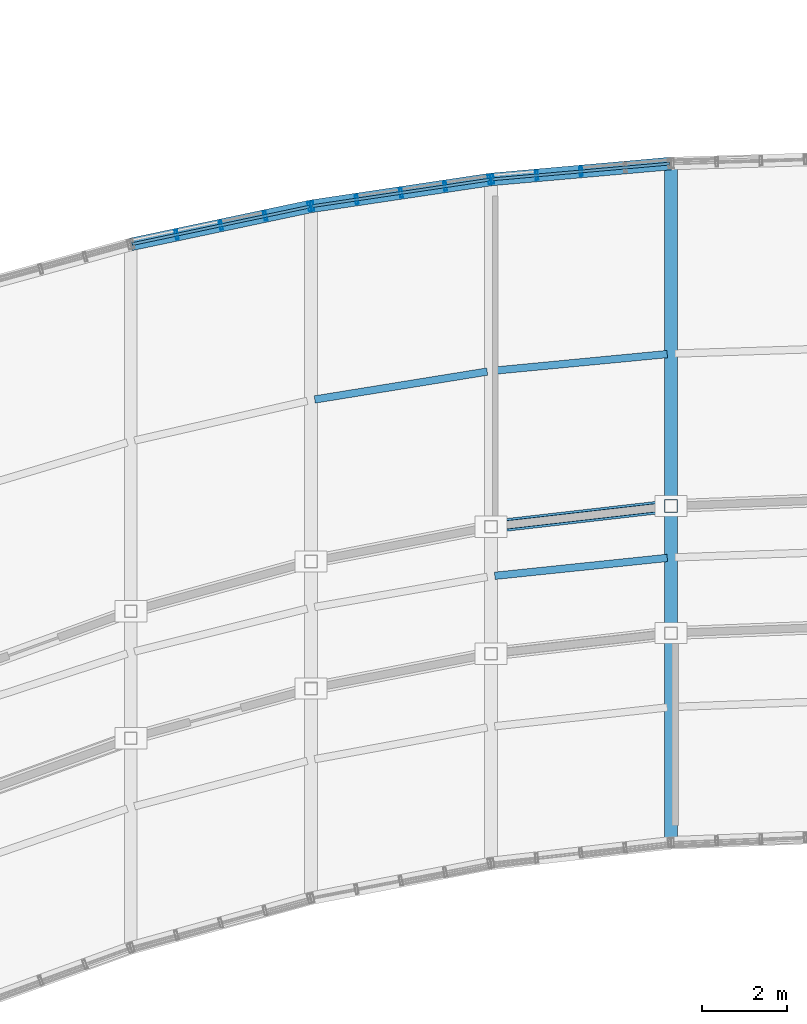
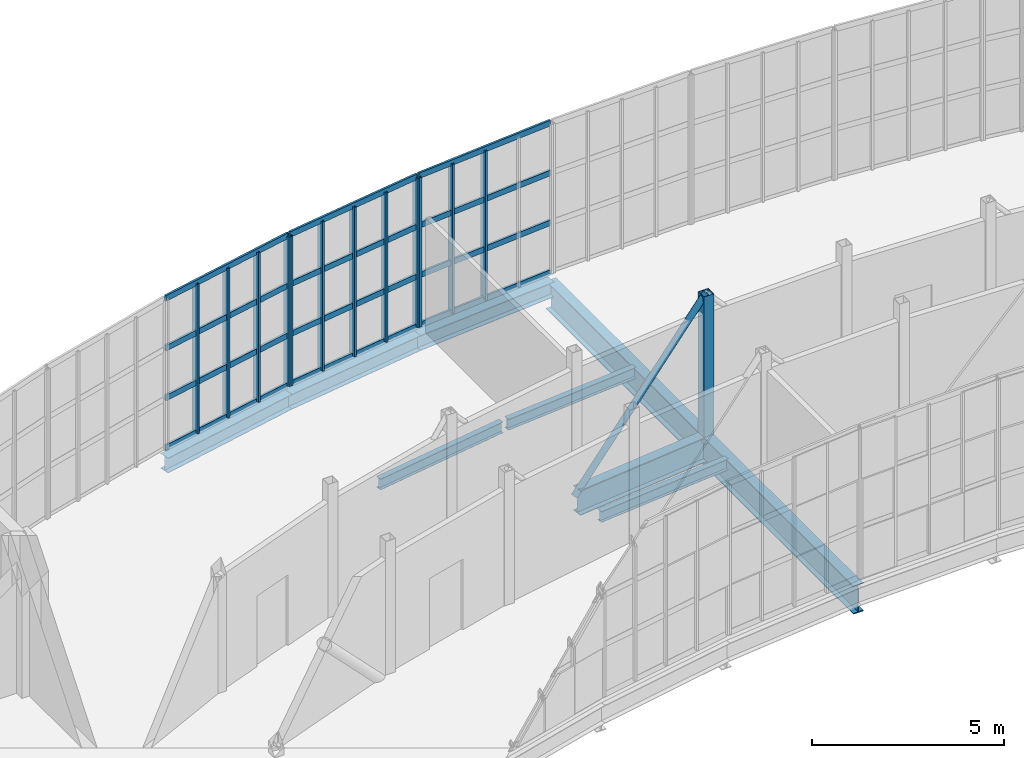
# One storey, part 25 of 66: 26 members, 8 beams, 3 elements without a shape of their own.
"""IFC4 building model written with IfcOpenShell, lengths in metres."""

from ifc_helpers import new_model, si_unit, direction, frame, origin, origin_2d, place, context, subcontext, project, spatial, hollow_rectangle, hollow_circle, i_section, extrude, material, material_profile, profile_set, type_object, element, aggregate, save


model = new_model("IFC4")

# Units and contexts
model_context = context("Model", 3, precision=1e-05, world=origin(), true_north=direction((0.0, 1.0)))
body_context = subcontext(model_context, "Body", "Model", "MODEL_VIEW")
ifc_project = project(units=[si_unit("LENGTHUNIT", "METRE"), si_unit("AREAUNIT", "SQUARE_METRE"), si_unit("VOLUMEUNIT", "CUBIC_METRE"), si_unit("PLANEANGLEUNIT", "RADIAN"), si_unit("MASSUNIT", "GRAM", prefix="KILO")], contexts=[model_context])

# Site, building, storey
site_placement = place(None, origin())
site = spatial("IfcSite", under=ifc_project, at=site_placement, CompositionType="ELEMENT")
building_placement = place(site_placement, origin())
building = spatial("IfcBuilding", under=site, at=building_placement, Name="Solvikara Media Centre", CompositionType="ELEMENT")
storey_placement = place(building_placement, frame((0.0, 0.0, 19.800048828125)))
storey = spatial("IfcBuildingStorey", under=building, at=storey_placement, Name="L04", CompositionType="ELEMENT", Elevation=19.800048828125)

# Beams
ifc_material_1 = material(Name="Steel S355JR", Category="steel")
ifc_material_profile_1 = material_profile(ifc_material_1, i_section(OverallWidth=0.300048828125, OverallDepth=0.89990234375, WebThickness=0.01611328125, FlangeThickness=0.028076171875, at=origin_2d()), Name="WF 900x300x16x28")
ifc_profile_set_1 = profile_set([ifc_material_profile_1], Name="Steel S355JR")
beam_type_1 = type_object("IfcBeamType", Name="BM-15", PredefinedType="BEAM", material=ifc_profile_set_1)
beam_1_placement = place(storey_placement, frame((97.75, 25.304931640625, -0.672119140625), z_axis=(0.0, 1.0, 0.0), x_axis=(-1.0, 0.0, 0.0)))
element("IfcBeam", 1, at=beam_1_placement, inside=storey, type_object=beam_type_1, Name="BG-L04-NS-05", PredefinedType="BEAM", context=body_context, shape_type="SweptSolid", body=[
    extrude(i_section(OverallWidth=0.300048828125, OverallDepth=0.89990234375, WebThickness=0.01611328125, FlangeThickness=0.028076171875, at=origin_2d()), origin(), (0.0, 0.0, 1.0), 16.0361328125),
])
ifc_material_profile_2 = material_profile(ifc_material_1, i_section(OverallWidth=0.300048828125, OverallDepth=0.800048828125, WebThickness=0.013916015625, FlangeThickness=0.02587890625, at=origin_2d()), Name="WF 800x300x14x26")
ifc_profile_set_2 = profile_set([ifc_material_profile_2], Name="Steel S355JR")
beam_type_2 = type_object("IfcBeamType", Name="BM-16", PredefinedType="BEAM", material=ifc_profile_set_2)
beam_2_placement = place(storey_placement, frame((93.589111328125, 32.778076171875, -0.6220703125), z_axis=(0.993485932274, 0.113954826025, 0.0), x_axis=(-0.113954826025, 0.993485932274, 0.0)))
element("IfcBeam", 2, at=beam_2_placement, inside=storey, type_object=beam_type_2, Name="B-L04-SPNN-04", PredefinedType="BEAM", context=body_context, shape_type="SweptSolid", body=[
    extrude(i_section(OverallWidth=0.300048828125, OverallDepth=0.800048828125, WebThickness=0.013916015625, FlangeThickness=0.02587890625, at=origin_2d()), origin(), (0.0, 0.0, 1.0), 4.098388671875),
])
ifc_material_profile_3 = material_profile(ifc_material_1, i_section(OverallWidth=0.175048828125, OverallDepth=0.35009765625, WebThickness=0.007080078125, FlangeThickness=0.010986328125, at=origin_2d()), Name="WF 350x175x7x11")
ifc_profile_set_3 = profile_set([ifc_material_profile_3], Name="Steel S355JR")
beam_type_3 = type_object("IfcBeamType", Name="BM-22", PredefinedType="JOIST", material=ifc_profile_set_3)
beam_3_placement = place(storey_placement, frame((89.339111328125, 35.77001953125, -0.39697265625), z_axis=(0.987157242896, 0.159751612818, 0.0), x_axis=(-0.159751612818, 0.987157242896, 0.0)))
element("IfcBeam", 3, at=beam_3_placement, inside=storey, type_object=beam_type_3, Name="BJ-L04-03-72", PredefinedType="JOIST", context=body_context, shape_type="SweptSolid", body=[
    extrude(i_section(OverallWidth=0.175048828125, OverallDepth=0.35009765625, WebThickness=0.007080078125, FlangeThickness=0.010986328125, at=origin_2d()), origin(), (0.0, 0.0, 1.0), 4.124755859375),
])
beam_4_placement = place(storey_placement, frame((93.590087890625, 31.60791015625, -0.39697265625), z_axis=(0.99463965164, 0.103401950587, 0.0), x_axis=(-0.103401950587, 0.99463965164, 0.0)))
element("IfcBeam", 4, at=beam_4_placement, inside=storey, type_object=beam_type_3, Name="BJ-L04-04-42", PredefinedType="JOIST", context=body_context, shape_type="SweptSolid", body=[
    extrude(i_section(OverallWidth=0.175048828125, OverallDepth=0.35009765625, WebThickness=0.007080078125, FlangeThickness=0.010986328125, at=origin_2d()), origin(), (0.0, 0.0, 1.0), 4.091796875),
])
beam_5_placement = place(storey_placement, frame((93.590087890625, 36.451904296875, -0.39697265625), z_axis=(0.995436776487, 0.095423393451, 0.0), x_axis=(-0.095423393451, 0.995436776487, 0.0)))
element("IfcBeam", 5, at=beam_5_placement, inside=storey, type_object=beam_type_3, Name="BJ-L04-04-72", PredefinedType="JOIST", context=body_context, shape_type="SweptSolid", body=[
    extrude(i_section(OverallWidth=0.175048828125, OverallDepth=0.35009765625, WebThickness=0.007080078125, FlangeThickness=0.010986328125, at=origin_2d()), origin(), (0.0, 0.0, 1.0), 4.08837890625),
])
ifc_material_profile_4 = material_profile(ifc_material_1, i_section(OverallWidth=0.300048828125, OverallDepth=0.48193359375, WebThickness=0.010986328125, FlangeThickness=0.014892578125, at=origin_2d()), Name="WF 482x300x11x15")
ifc_profile_set_4 = profile_set([ifc_material_profile_4], Name="Steel S355JR")
beam_type_4 = type_object("IfcBeamType", Name="BM-32", PredefinedType="SPANDREL", material=ifc_profile_set_4)
beam_6_placement = place(storey_placement, frame((85.0, 39.430908203125, -0.463134765625), z_axis=(0.978389077526, 0.206772369957, 0.0), x_axis=(-0.206772369957, 0.978389077526, 0.0)))
element("IfcBeam", 6, at=beam_6_placement, inside=storey, type_object=beam_type_4, Name="B-L04-NARC-02", PredefinedType="SPANDREL", context=body_context, shape_type="SweptSolid", body=[
    extrude(i_section(OverallWidth=0.300048828125, OverallDepth=0.48193359375, WebThickness=0.010986328125, FlangeThickness=0.014892578125, at=origin_2d()), origin(), (0.0, 0.0, 1.0), 4.343994140625),
])
beam_7_placement = place(storey_placement, frame((89.25, 40.3291015625, -0.463134765625), z_axis=(0.989021203369, 0.147773675894, 0.0), x_axis=(-0.147773675894, 0.989021203369, 0.0)))
element("IfcBeam", 7, at=beam_7_placement, inside=storey, type_object=beam_type_4, Name="B-L04-NARC-03", PredefinedType="SPANDREL", context=body_context, shape_type="SweptSolid", body=[
    extrude(i_section(OverallWidth=0.300048828125, OverallDepth=0.48193359375, WebThickness=0.010986328125, FlangeThickness=0.014892578125, at=origin_2d()), origin(), (0.0, 0.0, 1.0), 4.297119140625),
])
beam_8_placement = place(storey_placement, frame((93.5, 40.964111328125, -0.463134765625), z_axis=(0.996089667749, 0.088348026597, 0.0), x_axis=(-0.088348026597, 0.996089667749, 0.0)))
element("IfcBeam", 8, at=beam_8_placement, inside=storey, type_object=beam_type_4, Name="B-L04-NARC-04", PredefinedType="SPANDREL", context=body_context, shape_type="SweptSolid", body=[
    extrude(i_section(OverallWidth=0.300048828125, OverallDepth=0.48193359375, WebThickness=0.010986328125, FlangeThickness=0.014892578125, at=origin_2d()), origin(), (0.0, 0.0, 1.0), 4.2666015625),
])

# Members
ifc_material_profile_5 = material_profile(ifc_material_1, hollow_circle(Radius=0.096923828125, WallThickness=0.008056640625, at=origin_2d()), Name="CHS 193.7x8")
ifc_profile_set_5 = profile_set([ifc_material_profile_5], Name="Steel S355JR")
member_type_1 = type_object("IfcMemberType", Name="MB-06", PredefinedType="BRACE", material=ifc_profile_set_5)
member_1_placement = place(storey_placement, frame((93.5, 32.76806640625, -0.449951171875), z_axis=(0.668739862993, 0.076600832193, 0.739539930059), x_axis=(-0.113800903571, 0.993503575407, 0.0)))
element("IfcMember", 9, at=member_1_placement, inside=storey, type_object=member_type_1, Name="WTR-L04-N-DA04", PredefinedType="BRACE", context=body_context, shape_type="SweptSolid", body=[
    extrude(hollow_circle(Radius=0.096923828125, WallThickness=0.008056640625, at=origin_2d()), origin(), (0.0, 0.0, 1.0), 6.355224609375),
])
ifc_material_profile_6 = material_profile(ifc_material_1, hollow_rectangle(XDim=0.300048828125, YDim=0.300048828125, WallThickness=0.012451171875, at=origin_2d()), Name="RHS 300x300x12.5")
ifc_profile_set_6 = profile_set([ifc_material_profile_6], Name="Steel S355JR")
member_type_2 = type_object("IfcMemberType", Name="MB-11", PredefinedType="CHORD", material=ifc_profile_set_6)
member_2_placement = place(storey_placement, frame((97.75, 33.2548828125, -0.449951171875), z_axis=(0.0, 0.0, 1.0), x_axis=(1.0, 0.0, 0.0)))
element("IfcMember", 10, at=member_2_placement, inside=storey, type_object=member_type_2, Name="WTR-L04-N-V05", PredefinedType="CHORD", context=body_context, shape_type="SweptSolid", body=[
    extrude(hollow_rectangle(XDim=0.300048828125, YDim=0.300048828125, WallThickness=0.012451171875, at=origin_2d()), origin(), (0.0, 0.0, 1.0), 4.699951171875),
])

# Curtain wall, members
ifc_material_2 = material(Name="Anodised aluminium EN AW-6063", Category="aluminium")
curtain_wall_type = type_object("IfcCurtainWallType", Name="CW-02", PredefinedType="NOTDEFINED", material=ifc_material_2)
curtain_wall_1_placement = place(storey_placement, origin())
curtain_wall_1 = element("IfcCurtainWall", 11, at=curtain_wall_1_placement, inside=storey, type_object=curtain_wall_type, Name="CW-L04-NARC-02", PredefinedType="NOTDEFINED")
ifc_material_profile_7 = material_profile(ifc_material_2, hollow_rectangle(XDim=0.06494140625, YDim=0.219970703125, WallThickness=0.00390625, at=origin_2d()), Name="ALU-M 65x220x4")
ifc_profile_set_7 = profile_set([ifc_material_profile_7], Name="Anodised aluminium EN AW-6063")
member_type_3 = type_object("IfcMemberType", Name="MF-01", PredefinedType="MULLION", material=ifc_profile_set_7)
member_3_placement = place(storey_placement, frame((86.080078125, 39.658935546875, 0.02001953125), z_axis=(0.0, 0.0, 1.0), x_axis=(0.97837923005, 0.206818959981, 0.0)))
member_3 = element("IfcMember", 12, at=member_3_placement, type_object=member_type_3, Name="CW-L04-NARC-02-M01", PredefinedType="MULLION", context=body_context, shape_type="SweptSolid", body=[
    extrude(hollow_rectangle(XDim=0.06494140625, YDim=0.219970703125, WallThickness=0.00390625, at=origin_2d()), origin(), (0.0, 0.0, 1.0), 4.760009765625),
])
member_4_placement = place(storey_placement, frame((87.125, 39.8798828125, 0.02001953125), z_axis=(0.0, 0.0, 1.0), x_axis=(0.97837923005, 0.206818959981, 0.0)))
member_4 = element("IfcMember", 13, at=member_4_placement, type_object=member_type_3, Name="CW-L04-NARC-02-M02", PredefinedType="MULLION", context=body_context, shape_type="SweptSolid", body=[
    extrude(hollow_rectangle(XDim=0.06494140625, YDim=0.219970703125, WallThickness=0.00390625, at=origin_2d()), origin(), (0.0, 0.0, 1.0), 4.760009765625),
])
member_5_placement = place(storey_placement, frame((88.1708984375, 40.10107421875, 0.02001953125), z_axis=(0.0, 0.0, 1.0), x_axis=(0.97837923005, 0.206818959981, 0.0)))
member_5 = element("IfcMember", 14, at=member_5_placement, type_object=member_type_3, Name="CW-L04-NARC-02-M03", PredefinedType="MULLION", context=body_context, shape_type="SweptSolid", body=[
    extrude(hollow_rectangle(XDim=0.06494140625, YDim=0.219970703125, WallThickness=0.00390625, at=origin_2d()), origin(), (0.0, 0.0, 1.0), 4.760009765625),
])
member_6_placement = place(storey_placement, frame((89.216064453125, 40.322021484375, 0.02001953125), z_axis=(0.0, 0.0, 1.0), x_axis=(0.97837923005, 0.206818959981, 0.0)))
member_6 = element("IfcMember", 15, at=member_6_placement, type_object=member_type_3, Name="CW-L04-NARC-02-M04", PredefinedType="MULLION", context=body_context, shape_type="SweptSolid", body=[
    extrude(hollow_rectangle(XDim=0.06494140625, YDim=0.219970703125, WallThickness=0.00390625, at=origin_2d()), origin(), (0.0, 0.0, 1.0), 4.760009765625),
])

curtain_wall_2_placement = place(storey_placement, origin())
curtain_wall_2 = element("IfcCurtainWall", 16, at=curtain_wall_2_placement, inside=storey, type_object=curtain_wall_type, Name="CW-L04-NARC-03", PredefinedType="NOTDEFINED")
member_7_placement = place(storey_placement, frame((89.284912109375, 40.333984375, 0.02001953125), z_axis=(0.0, 0.0, 1.0), x_axis=(0.989005541908, 0.147878457102, 0.0)))
member_7 = element("IfcMember", 17, at=member_7_placement, type_object=member_type_3, Name="CW-L04-NARC-03-M00", PredefinedType="MULLION", context=body_context, shape_type="SweptSolid", body=[
    extrude(hollow_rectangle(XDim=0.06494140625, YDim=0.219970703125, WallThickness=0.00390625, at=origin_2d()), origin(), (0.0, 0.0, 1.0), 4.760009765625),
])
member_8_placement = place(storey_placement, frame((90.330078125, 40.489990234375, 0.02001953125), z_axis=(0.0, 0.0, 1.0), x_axis=(0.989005541908, 0.147878457102, 0.0)))
member_8 = element("IfcMember", 18, at=member_8_placement, type_object=member_type_3, Name="CW-L04-NARC-03-M01", PredefinedType="MULLION", context=body_context, shape_type="SweptSolid", body=[
    extrude(hollow_rectangle(XDim=0.06494140625, YDim=0.219970703125, WallThickness=0.00390625, at=origin_2d()), origin(), (0.0, 0.0, 1.0), 4.760009765625),
])
member_9_placement = place(storey_placement, frame((91.375, 40.64599609375, 0.02001953125), z_axis=(0.0, 0.0, 1.0), x_axis=(0.989005541908, 0.147878457102, 0.0)))
member_9 = element("IfcMember", 19, at=member_9_placement, type_object=member_type_3, Name="CW-L04-NARC-03-M02", PredefinedType="MULLION", context=body_context, shape_type="SweptSolid", body=[
    extrude(hollow_rectangle(XDim=0.06494140625, YDim=0.219970703125, WallThickness=0.00390625, at=origin_2d()), origin(), (0.0, 0.0, 1.0), 4.760009765625),
])
member_10_placement = place(storey_placement, frame((92.419921875, 40.802978515625, 0.02001953125), z_axis=(0.0, 0.0, 1.0), x_axis=(0.989005541908, 0.147878457102, 0.0)))
member_10 = element("IfcMember", 20, at=member_10_placement, type_object=member_type_3, Name="CW-L04-NARC-03-M03", PredefinedType="MULLION", context=body_context, shape_type="SweptSolid", body=[
    extrude(hollow_rectangle(XDim=0.06494140625, YDim=0.219970703125, WallThickness=0.00390625, at=origin_2d()), origin(), (0.0, 0.0, 1.0), 4.760009765625),
])
member_11_placement = place(storey_placement, frame((93.465087890625, 40.958984375, 0.02001953125), z_axis=(0.0, 0.0, 1.0), x_axis=(0.989005541908, 0.147878457102, 0.0)))
member_11 = element("IfcMember", 21, at=member_11_placement, type_object=member_type_3, Name="CW-L04-NARC-03-M04", PredefinedType="MULLION", context=body_context, shape_type="SweptSolid", body=[
    extrude(hollow_rectangle(XDim=0.06494140625, YDim=0.219970703125, WallThickness=0.00390625, at=origin_2d()), origin(), (0.0, 0.0, 1.0), 4.760009765625),
])

curtain_wall_3_placement = place(storey_placement, origin())
curtain_wall_3 = element("IfcCurtainWall", 22, at=curtain_wall_3_placement, inside=storey, type_object=curtain_wall_type, Name="CW-L04-NARC-04", PredefinedType="NOTDEFINED")
member_12_placement = place(storey_placement, frame((93.534912109375, 40.967041015625, 0.02001953125), z_axis=(0.0, 0.0, 1.0), x_axis=(0.99608438842, 0.088407528781, 0.0)))
member_12 = element("IfcMember", 23, at=member_12_placement, type_object=member_type_3, Name="CW-L04-NARC-04-M00", PredefinedType="MULLION", context=body_context, shape_type="SweptSolid", body=[
    extrude(hollow_rectangle(XDim=0.06494140625, YDim=0.219970703125, WallThickness=0.00390625, at=origin_2d()), origin(), (0.0, 0.0, 1.0), 4.760009765625),
])
member_13_placement = place(storey_placement, frame((94.580078125, 41.06005859375, 0.02001953125), z_axis=(0.0, 0.0, 1.0), x_axis=(0.99608438842, 0.088407528781, 0.0)))
member_13 = element("IfcMember", 24, at=member_13_placement, type_object=member_type_3, Name="CW-L04-NARC-04-M01", PredefinedType="MULLION", context=body_context, shape_type="SweptSolid", body=[
    extrude(hollow_rectangle(XDim=0.06494140625, YDim=0.219970703125, WallThickness=0.00390625, at=origin_2d()), origin(), (0.0, 0.0, 1.0), 4.760009765625),
])
member_14_placement = place(storey_placement, frame((95.625, 41.152099609375, 0.02001953125), z_axis=(0.0, 0.0, 1.0), x_axis=(0.99608438842, 0.088407528781, 0.0)))
member_14 = element("IfcMember", 25, at=member_14_placement, type_object=member_type_3, Name="CW-L04-NARC-04-M02", PredefinedType="MULLION", context=body_context, shape_type="SweptSolid", body=[
    extrude(hollow_rectangle(XDim=0.06494140625, YDim=0.219970703125, WallThickness=0.00390625, at=origin_2d()), origin(), (0.0, 0.0, 1.0), 4.760009765625),
])

# Member
ifc_material_profile_8 = material_profile(ifc_material_2, hollow_rectangle(XDim=0.06494140625, YDim=0.179931640625, WallThickness=0.00341796875, at=origin_2d()), Name="ALU-T 65x180x3.5")
ifc_profile_set_8 = profile_set([ifc_material_profile_8], Name="Anodised aluminium EN AW-6063")
member_type_4 = type_object("IfcMemberType", Name="MF-07", PredefinedType="USERDEFINED", material=ifc_profile_set_8)
member_15_placement = place(storey_placement, frame((85.033935546875, 39.43798828125, 0.02001953125), z_axis=(0.978380382842, 0.206813506496, 0.0), x_axis=(-0.206813506496, 0.978380382842, 0.0)))
member_15 = element("IfcMember", 26, at=member_15_placement, type_object=member_type_4, Name="CW-L04-NARC-02-T00", ObjectType="TRANSOM", PredefinedType="USERDEFINED", context=body_context, shape_type="SweptSolid", body=[
    extrude(hollow_rectangle(XDim=0.06494140625, YDim=0.179931640625, WallThickness=0.00341796875, at=origin_2d()), origin(), (0.0, 0.0, 1.0), 4.274658203125),
])

member_16_placement = place(storey_placement, frame((85.033935546875, 39.43798828125, 1.60693359375), z_axis=(0.978380382842, 0.206813506496, 0.0), x_axis=(-0.206813506496, 0.978380382842, 0.0)))
member_16 = element("IfcMember", 27, at=member_16_placement, type_object=member_type_4, Name="CW-L04-NARC-02-T01", ObjectType="TRANSOM", PredefinedType="USERDEFINED", context=body_context, shape_type="SweptSolid", body=[
    extrude(hollow_rectangle(XDim=0.06494140625, YDim=0.179931640625, WallThickness=0.00341796875, at=origin_2d()), origin(), (0.0, 0.0, 1.0), 4.274658203125),
])

member_17_placement = place(storey_placement, frame((85.033935546875, 39.43798828125, 3.19287109375), z_axis=(0.978380382842, 0.206813506496, 0.0), x_axis=(-0.206813506496, 0.978380382842, 0.0)))
member_17 = element("IfcMember", 28, at=member_17_placement, type_object=member_type_4, Name="CW-L04-NARC-02-T02", ObjectType="TRANSOM", PredefinedType="USERDEFINED", context=body_context, shape_type="SweptSolid", body=[
    extrude(hollow_rectangle(XDim=0.06494140625, YDim=0.179931640625, WallThickness=0.00341796875, at=origin_2d()), origin(), (0.0, 0.0, 1.0), 4.274658203125),
])

member_18_placement = place(storey_placement, frame((85.033935546875, 39.43798828125, 4.780029296875), z_axis=(0.978380382842, 0.206813506496, 0.0), x_axis=(-0.206813506496, 0.978380382842, 0.0)))
member_18 = element("IfcMember", 29, at=member_18_placement, type_object=member_type_4, Name="CW-L04-NARC-02-T03", ObjectType="TRANSOM", PredefinedType="USERDEFINED", context=body_context, shape_type="SweptSolid", body=[
    extrude(hollow_rectangle(XDim=0.06494140625, YDim=0.179931640625, WallThickness=0.00341796875, at=origin_2d()), origin(), (0.0, 0.0, 1.0), 4.274658203125),
])

aggregate(curtain_wall_1, [member_3, member_4, member_5, member_6, member_15, member_16, member_17, member_18])

member_19_placement = place(storey_placement, frame((89.284912109375, 40.333984375, 0.02001953125), z_axis=(0.989006573352, 0.147871558684, 0.0), x_axis=(-0.147871558684, 0.989006573352, 0.0)))
member_19 = element("IfcMember", 30, at=member_19_placement, type_object=member_type_4, Name="CW-L04-NARC-03-T00", ObjectType="TRANSOM", PredefinedType="USERDEFINED", context=body_context, shape_type="SweptSolid", body=[
    extrude(hollow_rectangle(XDim=0.06494140625, YDim=0.179931640625, WallThickness=0.00341796875, at=origin_2d()), origin(), (0.0, 0.0, 1.0), 4.2265625),
])

member_20_placement = place(storey_placement, frame((89.284912109375, 40.333984375, 1.60693359375), z_axis=(0.989006573352, 0.147871558684, 0.0), x_axis=(-0.147871558684, 0.989006573352, 0.0)))
member_20 = element("IfcMember", 31, at=member_20_placement, type_object=member_type_4, Name="CW-L04-NARC-03-T01", ObjectType="TRANSOM", PredefinedType="USERDEFINED", context=body_context, shape_type="SweptSolid", body=[
    extrude(hollow_rectangle(XDim=0.06494140625, YDim=0.179931640625, WallThickness=0.00341796875, at=origin_2d()), origin(), (0.0, 0.0, 1.0), 4.2265625),
])

member_21_placement = place(storey_placement, frame((89.284912109375, 40.333984375, 3.19287109375), z_axis=(0.989006573352, 0.147871558684, 0.0), x_axis=(-0.147871558684, 0.989006573352, 0.0)))
member_21 = element("IfcMember", 32, at=member_21_placement, type_object=member_type_4, Name="CW-L04-NARC-03-T02", ObjectType="TRANSOM", PredefinedType="USERDEFINED", context=body_context, shape_type="SweptSolid", body=[
    extrude(hollow_rectangle(XDim=0.06494140625, YDim=0.179931640625, WallThickness=0.00341796875, at=origin_2d()), origin(), (0.0, 0.0, 1.0), 4.2265625),
])

member_22_placement = place(storey_placement, frame((89.284912109375, 40.333984375, 4.780029296875), z_axis=(0.989006573352, 0.147871558684, 0.0), x_axis=(-0.147871558684, 0.989006573352, 0.0)))
member_22 = element("IfcMember", 33, at=member_22_placement, type_object=member_type_4, Name="CW-L04-NARC-03-T03", ObjectType="TRANSOM", PredefinedType="USERDEFINED", context=body_context, shape_type="SweptSolid", body=[
    extrude(hollow_rectangle(XDim=0.06494140625, YDim=0.179931640625, WallThickness=0.00341796875, at=origin_2d()), origin(), (0.0, 0.0, 1.0), 4.2265625),
])

aggregate(curtain_wall_2, [member_7, member_8, member_9, member_10, member_11, member_19, member_20, member_21, member_22])

member_23_placement = place(storey_placement, frame((93.534912109375, 40.967041015625, 0.02001953125), z_axis=(0.996087790013, 0.08836919478, 0.0), x_axis=(-0.08836919478, 0.996087790013, 0.0)))
member_23 = element("IfcMember", 34, at=member_23_placement, type_object=member_type_4, Name="CW-L04-NARC-04-T00", ObjectType="TRANSOM", PredefinedType="USERDEFINED", context=body_context, shape_type="SweptSolid", body=[
    extrude(hollow_rectangle(XDim=0.06494140625, YDim=0.179931640625, WallThickness=0.00341796875, at=origin_2d()), origin(), (0.0, 0.0, 1.0), 4.196533203125),
])

member_24_placement = place(storey_placement, frame((93.534912109375, 40.967041015625, 1.60693359375), z_axis=(0.996087790013, 0.08836919478, 0.0), x_axis=(-0.08836919478, 0.996087790013, 0.0)))
member_24 = element("IfcMember", 35, at=member_24_placement, type_object=member_type_4, Name="CW-L04-NARC-04-T01", ObjectType="TRANSOM", PredefinedType="USERDEFINED", context=body_context, shape_type="SweptSolid", body=[
    extrude(hollow_rectangle(XDim=0.06494140625, YDim=0.179931640625, WallThickness=0.00341796875, at=origin_2d()), origin(), (0.0, 0.0, 1.0), 4.196533203125),
])

member_25_placement = place(storey_placement, frame((93.534912109375, 40.967041015625, 3.19287109375), z_axis=(0.996087790013, 0.08836919478, 0.0), x_axis=(-0.08836919478, 0.996087790013, 0.0)))
member_25 = element("IfcMember", 36, at=member_25_placement, type_object=member_type_4, Name="CW-L04-NARC-04-T02", ObjectType="TRANSOM", PredefinedType="USERDEFINED", context=body_context, shape_type="SweptSolid", body=[
    extrude(hollow_rectangle(XDim=0.06494140625, YDim=0.179931640625, WallThickness=0.00341796875, at=origin_2d()), origin(), (0.0, 0.0, 1.0), 4.196533203125),
])

member_26_placement = place(storey_placement, frame((93.534912109375, 40.967041015625, 4.780029296875), z_axis=(0.996087790013, 0.08836919478, 0.0), x_axis=(-0.08836919478, 0.996087790013, 0.0)))
member_26 = element("IfcMember", 37, at=member_26_placement, type_object=member_type_4, Name="CW-L04-NARC-04-T03", ObjectType="TRANSOM", PredefinedType="USERDEFINED", context=body_context, shape_type="SweptSolid", body=[
    extrude(hollow_rectangle(XDim=0.06494140625, YDim=0.179931640625, WallThickness=0.00341796875, at=origin_2d()), origin(), (0.0, 0.0, 1.0), 4.196533203125),
])

aggregate(curtain_wall_3, [member_12, member_13, member_14, member_23, member_24, member_25, member_26])

save(model, "model.ifc")
